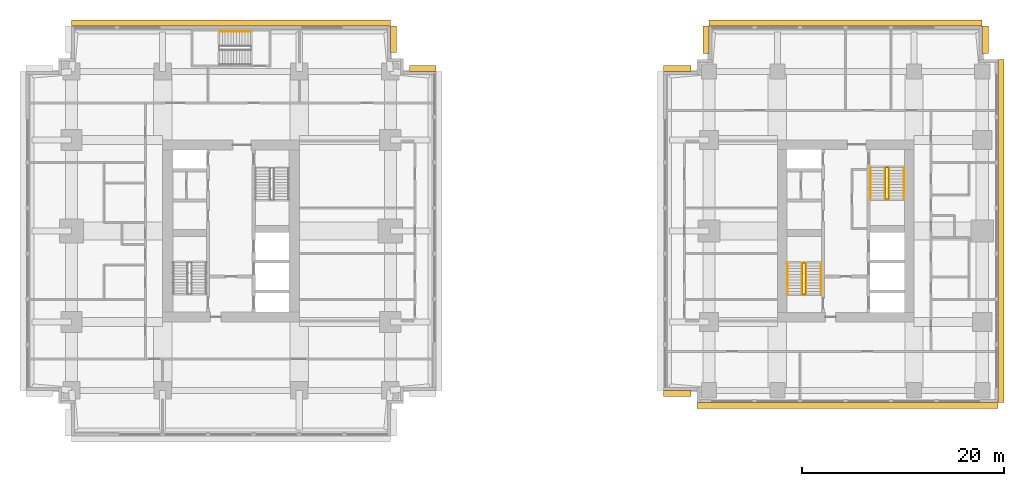
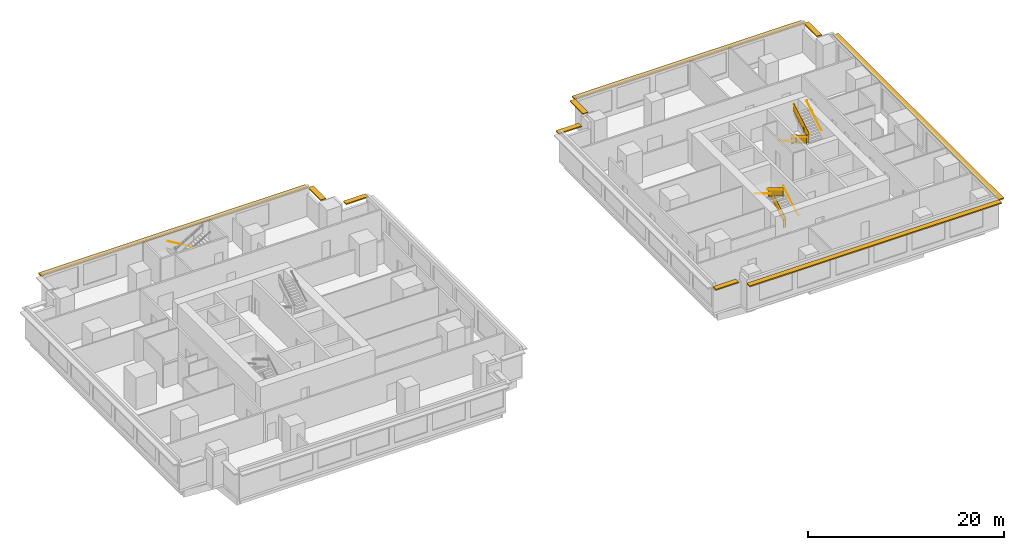
# One storey, part 10 of 10: 11 railings, 10 shading devices.
"""IFC4 building model written with IfcOpenShell, lengths in metres."""

from ifc_helpers import new_model, si_unit, direction, frame, origin, origin_2d, place, context, subcontext, project, spatial, polyline, rectangle, circle, outline, extrude, material, layer, layer_set, type_object, element, save


model = new_model("IFC4")

# Units and contexts
model_context = context("Model", 3, precision=1e-05, world=origin(), true_north=direction((0.0, 1.0)))
body_context = subcontext(model_context, "Body", "Model", "MODEL_VIEW")
ifc_project = project(units=[si_unit("LENGTHUNIT", "METRE"), si_unit("AREAUNIT", "SQUARE_METRE"), si_unit("VOLUMEUNIT", "CUBIC_METRE"), si_unit("PLANEANGLEUNIT", "RADIAN"), si_unit("MASSUNIT", "GRAM", prefix="KILO")], contexts=[model_context])

# Site, building, storey
site_placement = place(None, origin())
site = spatial("IfcSite", under=ifc_project, at=site_placement, CompositionType="ELEMENT")
building_placement = place(site_placement, origin())
building = spatial("IfcBuilding", under=site, at=building_placement, Name="Namib Vertical Campus", CompositionType="ELEMENT")
storey_placement = place(building_placement, frame((0.0, 0.0, 153.0)))
storey = spatial("IfcBuildingStorey", under=building, at=storey_placement, Name="L36", CompositionType="ELEMENT", Elevation=153.0)

# Railings
ifc_material_1 = material(Name="Steel handrail", Category="steel")
railing_type_1 = type_object("IfcRailingType", Name="Handrail 900", PredefinedType="HANDRAIL", material=ifc_material_1)
railing_1_placement = place(storey_placement, frame((78.550048828125, 14.0, 0.166748046875)))
element("IfcRailing", 1, at=railing_1_placement, inside=storey, type_object=railing_type_1, Name="Handrail HR1 B-S1 L36 1", PredefinedType="HANDRAIL", context=body_context, shape_type="SweptSolid", body=[
    extrude(circle(Radius=0.02392578125, at=origin_2d()), frame((0.0, 0.0, 0.8759765625), z_axis=(0.0, 0.859308565015, 0.511457515432), x_axis=(-1.0, 0.0, 0.0)), (0.0, 0.0, 1.0), 3.58447265625),
    extrude(circle(Radius=0.008056640625, at=origin_2d()), frame((0.0, 0.0, 0.8759765625), z_axis=(1.0, 0.0, 0.0), x_axis=(0.0, 0.0, 1.0)), (0.0, 0.0, 1.0), 0.050048828125),
    extrude(circle(Radius=0.008056640625, at=origin_2d()), frame((0.0, 1.026611328125, 1.48681640625), z_axis=(1.0, 0.0, 0.0), x_axis=(0.0, 0.0, 1.0)), (0.0, 0.0, 1.0), 0.050048828125),
    extrude(circle(Radius=0.008056640625, at=origin_2d()), frame((0.0, 2.053466796875, 2.09814453125), z_axis=(1.0, 0.0, 0.0), x_axis=(0.0, 0.0, 1.0)), (0.0, 0.0, 1.0), 0.050048828125),
    extrude(circle(Radius=0.008056640625, at=origin_2d()), frame((0.0, 3.080078125, 2.708984375), z_axis=(1.0, 0.0, 0.0), x_axis=(0.0, 0.0, 1.0)), (0.0, 0.0, 1.0), 0.050048828125),
])
railing_2_placement = place(storey_placement, frame((75.25, 17.080078125, 2.166748046875)))
element("IfcRailing", 2, at=railing_2_placement, inside=storey, type_object=railing_type_1, Name="Handrail HR1 B-S1 L36 2", PredefinedType="HANDRAIL", context=body_context, shape_type="SweptSolid", body=[
    extrude(circle(Radius=0.02392578125, at=origin_2d()), frame((0.0, 0.0, 0.8759765625), z_axis=(0.0, -0.859308565015, 0.511457515432), x_axis=(1.0, 0.0, 0.0)), (0.0, 0.0, 1.0), 3.58447265625),
    extrude(circle(Radius=0.008056640625, at=origin_2d()), frame((0.0, 0.0, 0.8759765625), z_axis=(-1.0, 0.0, 0.0), x_axis=(0.0, 0.0, 1.0)), (0.0, 0.0, 1.0), 0.050048828125),
    extrude(circle(Radius=0.008056640625, at=origin_2d()), frame((0.0, -1.026611328125, 1.48681640625), z_axis=(-1.0, 0.0, 0.0), x_axis=(0.0, 0.0, 1.0)), (0.0, 0.0, 1.0), 0.050048828125),
    extrude(circle(Radius=0.008056640625, at=origin_2d()), frame((0.0, -2.053466796875, 2.09814453125), z_axis=(-1.0, 0.0, 0.0), x_axis=(0.0, 0.0, 1.0)), (0.0, 0.0, 1.0), 0.050048828125),
    extrude(circle(Radius=0.008056640625, at=origin_2d()), frame((0.0, -3.080078125, 2.708984375), z_axis=(-1.0, 0.0, 0.0), x_axis=(0.0, 0.0, 1.0)), (0.0, 0.0, 1.0), 0.050048828125),
])
railing_3_placement = place(storey_placement, frame((77.10009765625, 14.0, 0.166748046875)))
element("IfcRailing", 3, at=railing_3_placement, inside=storey, type_object=railing_type_1, Name="Handrail HR1 B-S1 L36 1 at the well", PredefinedType="HANDRAIL", context=body_context, shape_type="SweptSolid", body=[
    extrude(circle(Radius=0.02392578125, at=origin_2d()), frame((0.0, 0.0, 0.8759765625), z_axis=(0.0, 0.859308565015, 0.511457515432), x_axis=(-1.0, 0.0, 0.0)), (0.0, 0.0, 1.0), 3.58447265625),
    extrude(circle(Radius=0.008056640625, at=origin_2d()), frame((0.0, 0.0, 0.8759765625), z_axis=(-1.0, 0.0, 0.0), x_axis=(0.0, 0.0, 1.0)), (0.0, 0.0, 1.0), 0.0400390625),
    extrude(circle(Radius=0.008056640625, at=origin_2d()), frame((0.0, 1.026611328125, 1.48681640625), z_axis=(-1.0, 0.0, 0.0), x_axis=(0.0, 0.0, 1.0)), (0.0, 0.0, 1.0), 0.0400390625),
    extrude(circle(Radius=0.008056640625, at=origin_2d()), frame((0.0, 2.053466796875, 2.09814453125), z_axis=(-1.0, 0.0, 0.0), x_axis=(0.0, 0.0, 1.0)), (0.0, 0.0, 1.0), 0.0400390625),
    extrude(circle(Radius=0.008056640625, at=origin_2d()), frame((0.0, 3.080078125, 2.708984375), z_axis=(-1.0, 0.0, 0.0), x_axis=(0.0, 0.0, 1.0)), (0.0, 0.0, 1.0), 0.0400390625),
])
railing_4_placement = place(storey_placement, frame((76.699951171875, 17.080078125, 2.166748046875)))
element("IfcRailing", 4, at=railing_4_placement, inside=storey, type_object=railing_type_1, Name="Handrail HR1 B-S1 L36 2 at the well", PredefinedType="HANDRAIL", context=body_context, shape_type="SweptSolid", body=[
    extrude(circle(Radius=0.02392578125, at=origin_2d()), frame((0.0, 0.0, 0.8759765625), z_axis=(0.0, -0.859308565015, 0.511457515432), x_axis=(1.0, 0.0, 0.0)), (0.0, 0.0, 1.0), 3.58447265625),
    extrude(circle(Radius=0.008056640625, at=origin_2d()), frame((0.0, 0.0, 0.8759765625), z_axis=(1.0, 0.0, 0.0), x_axis=(0.0, 0.0, 1.0)), (0.0, 0.0, 1.0), 0.0400390625),
    extrude(circle(Radius=0.008056640625, at=origin_2d()), frame((0.0, -1.026611328125, 1.48681640625), z_axis=(1.0, 0.0, 0.0), x_axis=(0.0, 0.0, 1.0)), (0.0, 0.0, 1.0), 0.0400390625),
    extrude(circle(Radius=0.008056640625, at=origin_2d()), frame((0.0, -2.053466796875, 2.09814453125), z_axis=(1.0, 0.0, 0.0), x_axis=(0.0, 0.0, 1.0)), (0.0, 0.0, 1.0), 0.0400390625),
    extrude(circle(Radius=0.008056640625, at=origin_2d()), frame((0.0, -3.080078125, 2.708984375), z_axis=(1.0, 0.0, 0.0), x_axis=(0.0, 0.0, 1.0)), (0.0, 0.0, 1.0), 0.0400390625),
])
railing_5_placement = place(storey_placement, frame((83.449951171875, 26.5, 0.166748046875)))
element("IfcRailing", 5, at=railing_5_placement, inside=storey, type_object=railing_type_1, Name="Handrail HR1 B-S2 L36 1", PredefinedType="HANDRAIL", context=body_context, shape_type="SweptSolid", body=[
    extrude(circle(Radius=0.02392578125, at=origin_2d()), frame((0.0, 0.0, 0.8759765625), z_axis=(0.0, -0.859308565015, 0.511457515432), x_axis=(1.0, 0.0, 0.0)), (0.0, 0.0, 1.0), 3.58447265625),
    extrude(circle(Radius=0.008056640625, at=origin_2d()), frame((0.0, 0.0, 0.8759765625), z_axis=(-1.0, 0.0, 0.0), x_axis=(0.0, 0.0, 1.0)), (0.0, 0.0, 1.0), 0.050048828125),
    extrude(circle(Radius=0.008056640625, at=origin_2d()), frame((0.0, -1.026611328125, 1.48681640625), z_axis=(-1.0, 0.0, 0.0), x_axis=(0.0, 0.0, 1.0)), (0.0, 0.0, 1.0), 0.050048828125),
    extrude(circle(Radius=0.008056640625, at=origin_2d()), frame((0.0, -2.053466796875, 2.09814453125), z_axis=(-1.0, 0.0, 0.0), x_axis=(0.0, 0.0, 1.0)), (0.0, 0.0, 1.0), 0.050048828125),
    extrude(circle(Radius=0.008056640625, at=origin_2d()), frame((0.0, -3.080078125, 2.708984375), z_axis=(-1.0, 0.0, 0.0), x_axis=(0.0, 0.0, 1.0)), (0.0, 0.0, 1.0), 0.050048828125),
])
railing_6_placement = place(storey_placement, frame((86.75, 23.419921875, 2.166748046875)))
element("IfcRailing", 6, at=railing_6_placement, inside=storey, type_object=railing_type_1, Name="Handrail HR1 B-S2 L36 2", PredefinedType="HANDRAIL", context=body_context, shape_type="SweptSolid", body=[
    extrude(circle(Radius=0.02392578125, at=origin_2d()), frame((0.0, 0.0, 0.8759765625), z_axis=(0.0, 0.859308565015, 0.511457515432), x_axis=(-1.0, 0.0, 0.0)), (0.0, 0.0, 1.0), 3.58447265625),
    extrude(circle(Radius=0.008056640625, at=origin_2d()), frame((0.0, 0.0, 0.8759765625), z_axis=(1.0, 0.0, 0.0), x_axis=(0.0, 0.0, 1.0)), (0.0, 0.0, 1.0), 0.050048828125),
    extrude(circle(Radius=0.008056640625, at=origin_2d()), frame((0.0, 1.026611328125, 1.48681640625), z_axis=(1.0, 0.0, 0.0), x_axis=(0.0, 0.0, 1.0)), (0.0, 0.0, 1.0), 0.050048828125),
    extrude(circle(Radius=0.008056640625, at=origin_2d()), frame((0.0, 2.053466796875, 2.09814453125), z_axis=(1.0, 0.0, 0.0), x_axis=(0.0, 0.0, 1.0)), (0.0, 0.0, 1.0), 0.050048828125),
    extrude(circle(Radius=0.008056640625, at=origin_2d()), frame((0.0, 3.080078125, 2.708984375), z_axis=(1.0, 0.0, 0.0), x_axis=(0.0, 0.0, 1.0)), (0.0, 0.0, 1.0), 0.050048828125),
])
railing_7_placement = place(storey_placement, frame((84.89990234375, 26.5, 0.166748046875)))
element("IfcRailing", 7, at=railing_7_placement, inside=storey, type_object=railing_type_1, Name="Handrail HR1 B-S2 L36 1 at the well", PredefinedType="HANDRAIL", context=body_context, shape_type="SweptSolid", body=[
    extrude(circle(Radius=0.02392578125, at=origin_2d()), frame((0.0, 0.0, 0.8759765625), z_axis=(0.0, -0.859308565015, 0.511457515432), x_axis=(1.0, 0.0, 0.0)), (0.0, 0.0, 1.0), 3.58447265625),
    extrude(circle(Radius=0.008056640625, at=origin_2d()), frame((0.0, 0.0, 0.8759765625), z_axis=(1.0, 0.0, 0.0), x_axis=(0.0, 0.0, 1.0)), (0.0, 0.0, 1.0), 0.0400390625),
    extrude(circle(Radius=0.008056640625, at=origin_2d()), frame((0.0, -1.026611328125, 1.48681640625), z_axis=(1.0, 0.0, 0.0), x_axis=(0.0, 0.0, 1.0)), (0.0, 0.0, 1.0), 0.0400390625),
    extrude(circle(Radius=0.008056640625, at=origin_2d()), frame((0.0, -2.053466796875, 2.09814453125), z_axis=(1.0, 0.0, 0.0), x_axis=(0.0, 0.0, 1.0)), (0.0, 0.0, 1.0), 0.0400390625),
    extrude(circle(Radius=0.008056640625, at=origin_2d()), frame((0.0, -3.080078125, 2.708984375), z_axis=(1.0, 0.0, 0.0), x_axis=(0.0, 0.0, 1.0)), (0.0, 0.0, 1.0), 0.0400390625),
])
railing_8_placement = place(storey_placement, frame((85.300048828125, 23.419921875, 2.166748046875)))
element("IfcRailing", 8, at=railing_8_placement, inside=storey, type_object=railing_type_1, Name="Handrail HR1 B-S2 L36 2 at the well", PredefinedType="HANDRAIL", context=body_context, shape_type="SweptSolid", body=[
    extrude(circle(Radius=0.02392578125, at=origin_2d()), frame((0.0, 0.0, 0.8759765625), z_axis=(0.0, 0.859308565015, 0.511457515432), x_axis=(-1.0, 0.0, 0.0)), (0.0, 0.0, 1.0), 3.58447265625),
    extrude(circle(Radius=0.008056640625, at=origin_2d()), frame((0.0, 0.0, 0.8759765625), z_axis=(-1.0, 0.0, 0.0), x_axis=(0.0, 0.0, 1.0)), (0.0, 0.0, 1.0), 0.0400390625),
    extrude(circle(Radius=0.008056640625, at=origin_2d()), frame((0.0, 1.026611328125, 1.48681640625), z_axis=(-1.0, 0.0, 0.0), x_axis=(0.0, 0.0, 1.0)), (0.0, 0.0, 1.0), 0.0400390625),
    extrude(circle(Radius=0.008056640625, at=origin_2d()), frame((0.0, 2.053466796875, 2.09814453125), z_axis=(-1.0, 0.0, 0.0), x_axis=(0.0, 0.0, 1.0)), (0.0, 0.0, 1.0), 0.0400390625),
    extrude(circle(Radius=0.008056640625, at=origin_2d()), frame((0.0, 3.080078125, 2.708984375), z_axis=(-1.0, 0.0, 0.0), x_axis=(0.0, 0.0, 1.0)), (0.0, 0.0, 1.0), 0.0400390625),
])
railing_9_placement = place(storey_placement, frame((22.199951171875, 39.949951171875, 0.166748046875)))
element("IfcRailing", 9, at=railing_9_placement, inside=storey, type_object=railing_type_1, Name="Handrail HR1 A-S3 L36 1", PredefinedType="HANDRAIL", context=body_context, shape_type="SweptSolid", body=[
    extrude(circle(Radius=0.02392578125, at=origin_2d()), frame((0.0, 0.0, 0.8759765625), z_axis=(-0.859290745958, 0.0, 0.51148745235), x_axis=(0.0, -1.0, 0.0)), (0.0, 0.0, 1.0), 3.584228515625),
    extrude(circle(Radius=0.008056640625, at=origin_2d()), frame((0.0, 0.0, 0.8759765625), z_axis=(0.0, 1.0, 0.0), x_axis=(0.0, 0.0, 1.0)), (0.0, 0.0, 1.0), 0.050048828125),
    extrude(circle(Radius=0.008056640625, at=origin_2d()), frame((-1.026611328125, 0.0, 1.48681640625), z_axis=(0.0, 1.0, 0.0), x_axis=(0.0, 0.0, 1.0)), (0.0, 0.0, 1.0), 0.050048828125),
    extrude(circle(Radius=0.008056640625, at=origin_2d()), frame((-2.05322265625, 0.0, 2.09814453125), z_axis=(0.0, 1.0, 0.0), x_axis=(0.0, 0.0, 1.0)), (0.0, 0.0, 1.0), 0.050048828125),
    extrude(circle(Radius=0.008056640625, at=origin_2d()), frame((-3.079833984375, 0.0, 2.708984375), z_axis=(0.0, 1.0, 0.0), x_axis=(0.0, 0.0, 1.0)), (0.0, 0.0, 1.0), 0.050048828125),
])
ifc_material_2 = material(Name="Steel balustrade", Category="steel")
railing_type_2 = type_object("IfcRailingType", Name="Stair guard 1100", PredefinedType="GUARDRAIL", material=ifc_material_2)
railing_10_placement = place(storey_placement, frame((76.75, 14.0, 0.0)))
element("IfcRailing", 10, at=railing_10_placement, inside=storey, type_object=railing_type_2, Name="Stair guard GR1 B-S1 L36", PredefinedType="GUARDRAIL", context=body_context, shape_type="SweptSolid", body=[
    extrude(circle(Radius=0.02392578125, at=origin_2d()), frame((0.0, 0.0, 1.076171875), z_axis=(1.0, 0.0, 0.0), x_axis=(0.0, 1.0, 0.0)), (0.0, 0.0, 1.0), 0.300048828125),
    extrude(outline(polyline([(0.02099609375, 0.050048828125), (0.279052734375, 0.050048828125), (0.279052734375, 1.052001953125), (0.02099609375, 1.052001953125), (0.02099609375, 0.050048828125)])), frame((0.0, 0.010009765625, 0.0), z_axis=(0.0, -1.0, 0.0), x_axis=(1.0, 0.0, 0.0)), (0.0, 0.0, 1.0), 0.02001953125),
    extrude(circle(Radius=0.02392578125, at=origin_2d()), frame((0.300048828125, 0.0, 1.076171875), z_axis=(0.0, 0.0, 1.0), x_axis=(1.0, 0.0, 0.0)), (0.0, 0.0, 1.0), 0.166748046875),
    extrude(circle(Radius=0.02392578125, at=origin_2d()), frame((0.300048828125, 0.0, 1.24267578125), z_axis=(0.0, 0.859308565015, 0.511457515432), x_axis=(-1.0, 0.0, 0.0)), (0.0, 0.0, 1.0), 3.58447265625),
    extrude(outline(polyline([(0.02099609375, 0.0625), (3.05908203125, 1.870849609375), (3.05908203125, 2.872802734375), (0.02099609375, 1.064453125), (0.02099609375, 0.0625)])), frame((0.2900390625, 0.0, 0.166748046875), z_axis=(1.0, 0.0, 0.0), x_axis=(0.0, 1.0, 0.0)), (0.0, 0.0, 1.0), 0.02001953125),
    extrude(circle(Radius=0.02392578125, at=origin_2d()), frame((0.300048828125, 3.080078125, 3.076171875), z_axis=(-1.0, 0.0, 0.0), x_axis=(0.0, -1.0, 0.0)), (0.0, 0.0, 1.0), 0.300048828125),
    extrude(outline(polyline([(0.02099609375, 0.050048828125), (0.279052734375, 0.050048828125), (0.279052734375, 1.052001953125), (0.02099609375, 1.052001953125), (0.02099609375, 0.050048828125)])), frame((0.300048828125, 3.070068359375, 2.0), z_axis=(0.0, 1.0, 0.0), x_axis=(-1.0, 0.0, 0.0)), (0.0, 0.0, 1.0), 0.02001953125),
    extrude(circle(Radius=0.02392578125, at=origin_2d()), frame((0.0, 3.080078125, 3.076171875), z_axis=(0.0, 0.0, 1.0), x_axis=(1.0, 0.0, 0.0)), (0.0, 0.0, 1.0), 0.166748046875),
    extrude(circle(Radius=0.02392578125, at=origin_2d()), frame((0.0, 3.080078125, 3.24267578125), z_axis=(0.0, -0.859308565015, 0.511457515432), x_axis=(1.0, 0.0, 0.0)), (0.0, 0.0, 1.0), 3.58447265625),
    extrude(outline(polyline([(0.02099609375, 0.0625), (3.05908203125, 1.870849609375), (3.05908203125, 2.872802734375), (0.02099609375, 1.064453125), (0.02099609375, 0.0625)])), frame((0.010009765625, 3.080078125, 2.166748046875), z_axis=(-1.0, 0.0, 0.0), x_axis=(0.0, -1.0, 0.0)), (0.0, 0.0, 1.0), 0.02001953125),
    extrude(circle(Radius=0.02392578125, at=origin_2d()), frame((0.0, 0.0, 5.076171875), z_axis=(0.0, -1.0, 0.0), x_axis=(1.0, 0.0, 0.0)), (0.0, 0.0, 1.0), 0.050048828125),
    extrude(outline(polyline([(0.02099609375, 0.050048828125), (0.029052734375, 0.050048828125), (0.029052734375, 1.052001953125), (0.02099609375, 1.052001953125), (0.02099609375, 0.050048828125)])), frame((0.010009765625, 0.0, 4.0), z_axis=(-1.0, 0.0, 0.0), x_axis=(0.0, -1.0, 0.0)), (0.0, 0.0, 1.0), 0.02001953125),
    extrude(circle(Radius=0.02099609375, at=origin_2d()), origin(), (0.0, 0.0, 1.0), 1.052001953125),
    extrude(circle(Radius=0.02099609375, at=origin_2d()), frame((0.300048828125, 0.0, 0.166748046875)), (0.0, 0.0, 1.0), 1.052001953125),
    extrude(circle(Radius=0.02099609375, at=origin_2d()), frame((0.300048828125, 1.026611328125, 0.666748046875)), (0.0, 0.0, 1.0), 1.1630859375),
    extrude(circle(Radius=0.02099609375, at=origin_2d()), frame((0.300048828125, 2.053466796875, 1.33349609375)), (0.0, 0.0, 1.0), 1.107421875),
    extrude(circle(Radius=0.02099609375, at=origin_2d()), frame((0.300048828125, 3.080078125, 2.0)), (0.0, 0.0, 1.0), 1.052001953125),
    extrude(circle(Radius=0.02099609375, at=origin_2d()), frame((0.0, 3.080078125, 2.166748046875)), (0.0, 0.0, 1.0), 1.052001953125),
    extrude(circle(Radius=0.02099609375, at=origin_2d()), frame((0.0, 2.053466796875, 2.666748046875)), (0.0, 0.0, 1.0), 1.1630859375),
    extrude(circle(Radius=0.02099609375, at=origin_2d()), frame((0.0, 1.026611328125, 3.33349609375)), (0.0, 0.0, 1.0), 1.107421875),
    extrude(circle(Radius=0.02099609375, at=origin_2d()), frame((0.0, 0.0, 4.0)), (0.0, 0.0, 1.0), 1.052001953125),
    extrude(circle(Radius=0.02099609375, at=origin_2d()), frame((0.0, -0.050048828125, 4.0)), (0.0, 0.0, 1.0), 1.052001953125),
])
railing_11_placement = place(storey_placement, frame((85.25, 26.5, 0.0)))
element("IfcRailing", 11, at=railing_11_placement, inside=storey, type_object=railing_type_2, Name="Stair guard GR1 B-S2 L36", PredefinedType="GUARDRAIL", context=body_context, shape_type="SweptSolid", body=[
    extrude(circle(Radius=0.02392578125, at=origin_2d()), frame((0.0, 0.0, 1.076171875), z_axis=(-1.0, 0.0, 0.0), x_axis=(0.0, -1.0, 0.0)), (0.0, 0.0, 1.0), 0.300048828125),
    extrude(outline(polyline([(0.02099609375, 0.050048828125), (0.279052734375, 0.050048828125), (0.279052734375, 1.052001953125), (0.02099609375, 1.052001953125), (0.02099609375, 0.050048828125)])), frame((0.0, -0.010009765625, 0.0), z_axis=(0.0, 1.0, 0.0), x_axis=(-1.0, 0.0, 0.0)), (0.0, 0.0, 1.0), 0.02001953125),
    extrude(circle(Radius=0.02392578125, at=origin_2d()), frame((-0.300048828125, 0.0, 1.076171875), z_axis=(0.0, 0.0, 1.0), x_axis=(1.0, 0.0, 0.0)), (0.0, 0.0, 1.0), 0.166748046875),
    extrude(circle(Radius=0.02392578125, at=origin_2d()), frame((-0.300048828125, 0.0, 1.24267578125), z_axis=(0.0, -0.859308565015, 0.511457515432), x_axis=(1.0, 0.0, 0.0)), (0.0, 0.0, 1.0), 3.58447265625),
    extrude(outline(polyline([(0.02099609375, 0.0625), (3.05908203125, 1.870849609375), (3.05908203125, 2.872802734375), (0.02099609375, 1.064453125), (0.02099609375, 0.0625)])), frame((-0.2900390625, 0.0, 0.166748046875), z_axis=(-1.0, 0.0, 0.0), x_axis=(0.0, -1.0, 0.0)), (0.0, 0.0, 1.0), 0.02001953125),
    extrude(circle(Radius=0.02392578125, at=origin_2d()), frame((-0.300048828125, -3.080078125, 3.076171875), z_axis=(1.0, 0.0, 0.0), x_axis=(0.0, 1.0, 0.0)), (0.0, 0.0, 1.0), 0.300048828125),
    extrude(outline(polyline([(0.02099609375, 0.050048828125), (0.279052734375, 0.050048828125), (0.279052734375, 1.052001953125), (0.02099609375, 1.052001953125), (0.02099609375, 0.050048828125)])), frame((-0.300048828125, -3.070068359375, 2.0), z_axis=(0.0, -1.0, 0.0), x_axis=(1.0, 0.0, 0.0)), (0.0, 0.0, 1.0), 0.02001953125),
    extrude(circle(Radius=0.02392578125, at=origin_2d()), frame((0.0, -3.080078125, 3.076171875), z_axis=(0.0, 0.0, 1.0), x_axis=(1.0, 0.0, 0.0)), (0.0, 0.0, 1.0), 0.166748046875),
    extrude(circle(Radius=0.02392578125, at=origin_2d()), frame((0.0, -3.080078125, 3.24267578125), z_axis=(0.0, 0.859308565015, 0.511457515432), x_axis=(-1.0, 0.0, 0.0)), (0.0, 0.0, 1.0), 3.58447265625),
    extrude(outline(polyline([(0.02099609375, 0.0625), (3.05908203125, 1.870849609375), (3.05908203125, 2.872802734375), (0.02099609375, 1.064453125), (0.02099609375, 0.0625)])), frame((-0.010009765625, -3.080078125, 2.166748046875), z_axis=(1.0, 0.0, 0.0), x_axis=(0.0, 1.0, 0.0)), (0.0, 0.0, 1.0), 0.02001953125),
    extrude(circle(Radius=0.02392578125, at=origin_2d()), frame((0.0, 0.0, 5.076171875), z_axis=(0.0, 1.0, 0.0), x_axis=(-1.0, 0.0, 0.0)), (0.0, 0.0, 1.0), 0.050048828125),
    extrude(outline(polyline([(0.02099609375, 0.050048828125), (0.029052734375, 0.050048828125), (0.029052734375, 1.052001953125), (0.02099609375, 1.052001953125), (0.02099609375, 0.050048828125)])), frame((-0.010009765625, 0.0, 4.0), z_axis=(1.0, 0.0, 0.0), x_axis=(0.0, 1.0, 0.0)), (0.0, 0.0, 1.0), 0.02001953125),
    extrude(circle(Radius=0.02099609375, at=origin_2d()), origin(), (0.0, 0.0, 1.0), 1.052001953125),
    extrude(circle(Radius=0.02099609375, at=origin_2d()), frame((-0.300048828125, 0.0, 0.166748046875)), (0.0, 0.0, 1.0), 1.052001953125),
    extrude(circle(Radius=0.02099609375, at=origin_2d()), frame((-0.300048828125, -1.026611328125, 0.666748046875)), (0.0, 0.0, 1.0), 1.1630859375),
    extrude(circle(Radius=0.02099609375, at=origin_2d()), frame((-0.300048828125, -2.053466796875, 1.33349609375)), (0.0, 0.0, 1.0), 1.107421875),
    extrude(circle(Radius=0.02099609375, at=origin_2d()), frame((-0.300048828125, -3.080078125, 2.0)), (0.0, 0.0, 1.0), 1.052001953125),
    extrude(circle(Radius=0.02099609375, at=origin_2d()), frame((0.0, -3.080078125, 2.166748046875)), (0.0, 0.0, 1.0), 1.052001953125),
    extrude(circle(Radius=0.02099609375, at=origin_2d()), frame((0.0, -2.053466796875, 2.666748046875)), (0.0, 0.0, 1.0), 1.1630859375),
    extrude(circle(Radius=0.02099609375, at=origin_2d()), frame((0.0, -1.026611328125, 3.33349609375)), (0.0, 0.0, 1.0), 1.107421875),
    extrude(circle(Radius=0.02099609375, at=origin_2d()), frame((0.0, 0.0, 4.0)), (0.0, 0.0, 1.0), 1.052001953125),
    extrude(circle(Radius=0.02099609375, at=origin_2d()), frame((0.0, 0.050048828125, 4.0)), (0.0, 0.0, 1.0), 1.052001953125),
])

# Shading devices
ifc_material_3 = material(Name="Concrete C40/50 precast", Category="concrete")
ifc_layer = layer(ifc_material_3, 0.14990234375)
ifc_layer_set = layer_set([ifc_layer], Name="Concrete C40/50 precast")
shading_device_type = type_object("IfcShadingDeviceType", Name="Sunshade hood 600", PredefinedType="SHUTTER", material=ifc_layer_set)
for number, where, z_axis, x_axis, name in (
    (12, (39.199951171875, 36.300048828125, 3.199951171875), (0.0, 0.0, 1.0), (-1.0, 0.0, 0.0), "Sunshade SH3 L36 7"),
    (13, (36.300048828125, 39.199951171875, 3.199951171875), (0.0, 0.0, 1.0), (0.0, 1.0, 0.0), "Sunshade SH3 L36 10"),
):
    element("IfcShadingDevice", number, at=place(storey_placement, frame(where, z_axis=z_axis, x_axis=x_axis)), inside=storey, type_object=shading_device_type, Name=name, PredefinedType="SHUTTER", context=body_context, shape_type="SweptSolid", body=[
        extrude(rectangle(XDim=2.60009765625, YDim=0.60009765625, at=origin_2d()), origin(), (0.0, 0.0, 1.0), 0.14990234375),
    ])
shading_device_1_placement = place(storey_placement, frame((20.25, 40.800048828125, 3.199951171875), z_axis=(0.0, 0.0, 1.0), x_axis=(-1.0, 0.0, 0.0)))
element("IfcShadingDevice", 14, at=shading_device_1_placement, inside=storey, type_object=shading_device_type, Name="Sunshade SH3 L36 11", PredefinedType="SHUTTER", context=body_context, shape_type="SweptSolid", body=[
    extrude(rectangle(XDim=31.5, YDim=0.60009765625, at=origin_2d()), origin(), (0.0, 0.0, 1.0), 0.14990234375),
])
shading_device_2_placement = place(storey_placement, frame((64.35009765625, 4.199951171875, 3.199951171875), z_axis=(0.0, 0.0, 1.0), x_axis=(1.0, 0.0, 0.0)))
element("IfcShadingDevice", 15, at=shading_device_2_placement, inside=storey, type_object=shading_device_type, Name="Sunshade SH3 L36 1", PredefinedType="SHUTTER", context=body_context, shape_type="SweptSolid", body=[
    extrude(rectangle(XDim=2.699951171875, YDim=0.60009765625, at=origin_2d()), origin(), (0.0, 0.0, 1.0), 0.14990234375),
])
shading_device_3_placement = place(storey_placement, frame((81.175048828125, 3.0, 3.199951171875), z_axis=(0.0, 0.0, 1.0), x_axis=(1.0, 0.0, 0.0)))
element("IfcShadingDevice", 16, at=shading_device_3_placement, inside=storey, type_object=shading_device_type, Name="Sunshade SH3 L36 3", PredefinedType="SHUTTER", context=body_context, shape_type="SweptSolid", body=[
    extrude(rectangle(XDim=29.75, YDim=0.60009765625, at=origin_2d()), origin(), (0.0, 0.0, 1.0), 0.14990234375),
])
shading_device_4_placement = place(storey_placement, frame((96.35009765625, 20.25, 3.199951171875), z_axis=(0.0, 0.0, 1.0), x_axis=(0.0, 1.0, 0.0)))
element("IfcShadingDevice", 17, at=shading_device_4_placement, inside=storey, type_object=shading_device_type, Name="Sunshade SH3 L36 4", PredefinedType="SHUTTER", context=body_context, shape_type="SweptSolid", body=[
    extrude(rectangle(XDim=33.89990234375, YDim=0.60009765625, at=origin_2d()), origin(), (0.0, 0.0, 1.0), 0.14990234375),
])
shading_device_5_placement = place(storey_placement, frame((94.800048828125, 39.14990234375, 3.199951171875), z_axis=(0.0, 0.0, 1.0), x_axis=(0.0, 1.0, 0.0)))
element("IfcShadingDevice", 18, at=shading_device_5_placement, inside=storey, type_object=shading_device_type, Name="Sunshade SH3 L36 6", PredefinedType="SHUTTER", context=body_context, shape_type="SweptSolid", body=[
    extrude(rectangle(XDim=2.699951171875, YDim=0.60009765625, at=origin_2d()), origin(), (0.0, 0.0, 1.0), 0.14990234375),
])
shading_device_6_placement = place(storey_placement, frame((81.0, 40.800048828125, 3.199951171875), z_axis=(0.0, 0.0, 1.0), x_axis=(-1.0, 0.0, 0.0)))
element("IfcShadingDevice", 19, at=shading_device_6_placement, inside=storey, type_object=shading_device_type, Name="Sunshade SH3 L36 7", PredefinedType="SHUTTER", context=body_context, shape_type="SweptSolid", body=[
    extrude(rectangle(XDim=27.0, YDim=0.60009765625, at=origin_2d()), origin(), (0.0, 0.0, 1.0), 0.14990234375),
])
for number, where, z_axis, x_axis, name in (
    (20, (67.199951171875, 39.14990234375, 3.199951171875), (0.0, 0.0, 1.0), (0.0, -1.0, 0.0), "Sunshade SH3 L36 8"),
    (21, (64.35009765625, 36.300048828125, 3.199951171875), (0.0, 0.0, 1.0), (-1.0, 0.0, 0.0), "Sunshade SH3 L36 11"),
):
    element("IfcShadingDevice", number, at=place(storey_placement, frame(where, z_axis=z_axis, x_axis=x_axis)), inside=storey, type_object=shading_device_type, Name=name, PredefinedType="SHUTTER", context=body_context, shape_type="SweptSolid", body=[
        extrude(rectangle(XDim=2.699951171875, YDim=0.60009765625, at=origin_2d()), origin(), (0.0, 0.0, 1.0), 0.14990234375),
    ])

save(model, "model.ifc")
